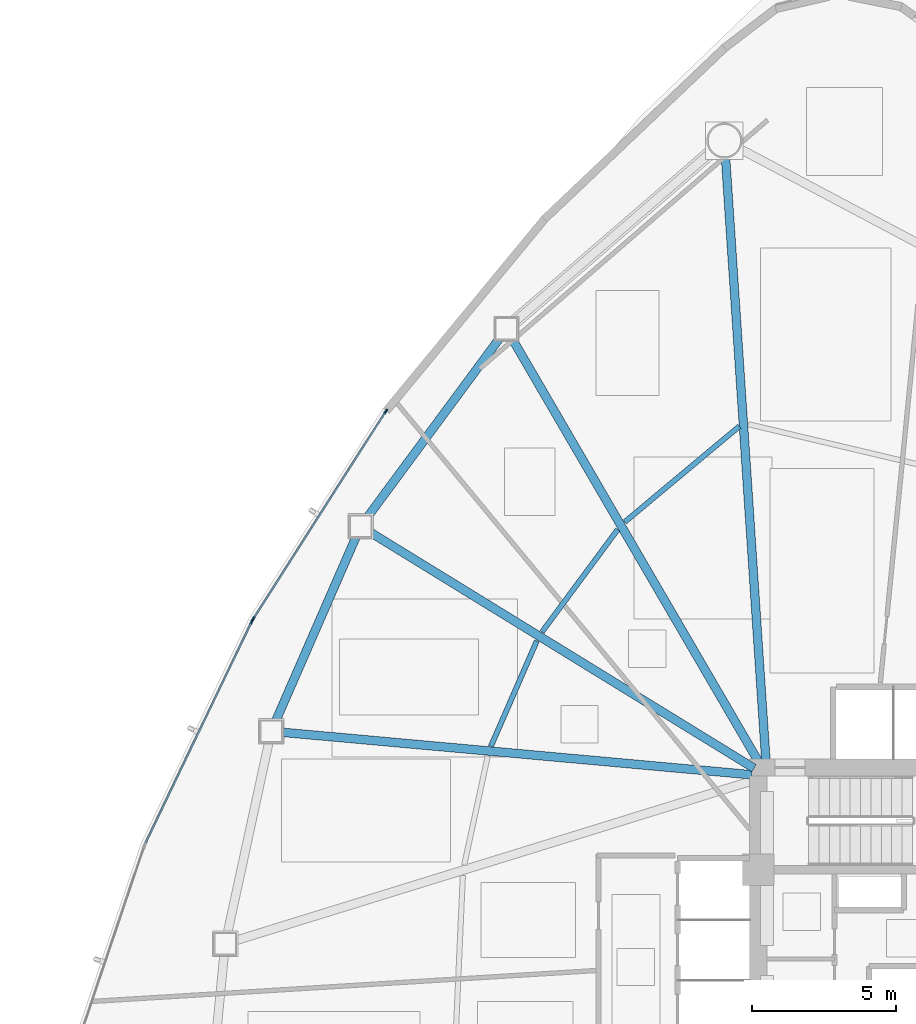
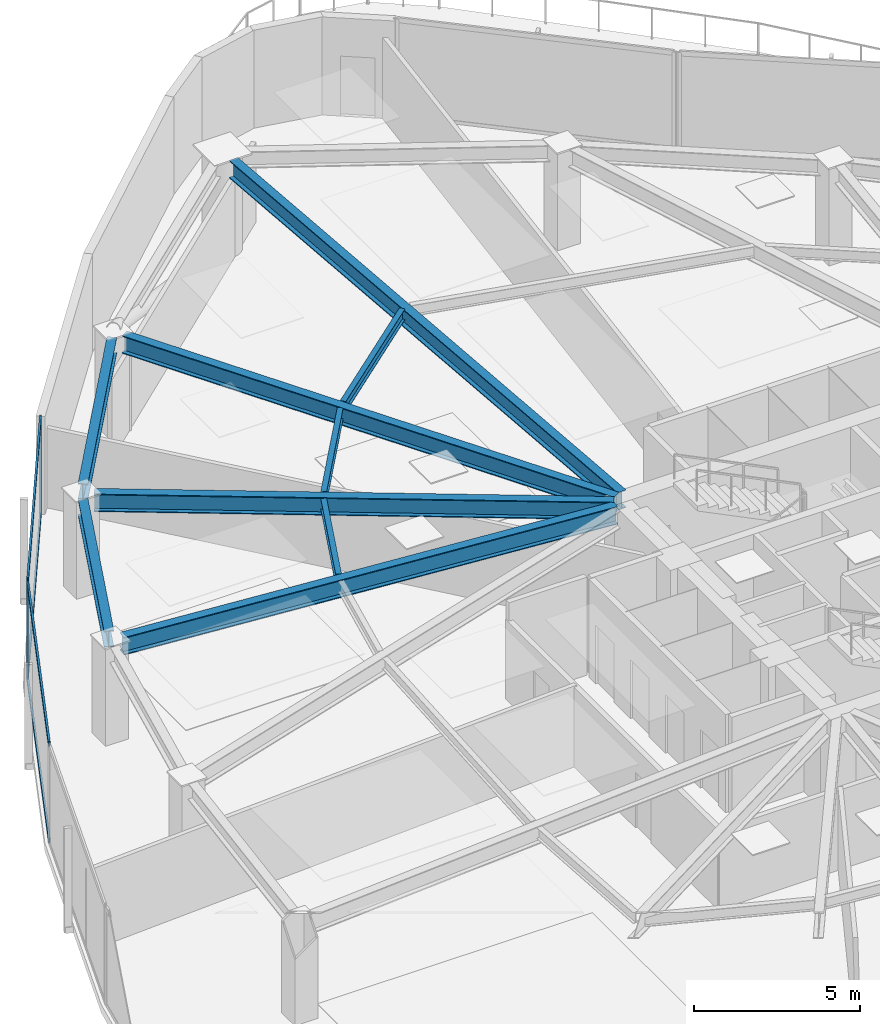
# One storey, part 7 of 19: 9 beams, 7 members, 2 elements without a shape of their own.
"""IFC4 building model written with IfcOpenShell, lengths in metres."""

import ifcopenshell
import ifcopenshell.guid

model = None  # the IFC model being written
_history = None  # IfcOwnerHistory: only IFC2X3 demands one
_inside = {}  # id of a spatial element -> (the spatial element, [elements in it])
_under = {}  # id of a project, library or spatial element -> (it, [spatial elements below it])
_declared = {}  # id of a project -> (the project, [libraries it declares])
_typed = {}  # id of a type object -> (the type object, [elements of that type])
_made_of = {}  # id of a material, layer set ... -> (it, [elements and type objects made of it])


def new_model(schema):
    """Start an empty IFC model of exactly this schema.

    Asked for "IFC4X3", IfcOpenShell would pick the latest addendum, in which some entities
    have other attributes; the version numbers below select the first issue.
    IFC2X3 requires an IfcOwnerHistory on every rooted entity: one is made here for all.
    """
    global model, _history
    if schema == "IFC4X3":
        model = ifcopenshell.file(schema_version=(4, 3, 0, 0))
    else:
        model = ifcopenshell.file(schema=schema)
    _inside.clear()
    _under.clear()
    _declared.clear()
    _typed.clear()
    _made_of.clear()
    _history = None
    if model.schema == "IFC2X3":
        org = make("IfcOrganization", Name="unknown")
        user = make(
            "IfcPersonAndOrganization",
            ThePerson=make("IfcPerson", FamilyName="unknown"),
            TheOrganization=org,
        )
        app = make(
            "IfcApplication",
            ApplicationDeveloper=org,
            Version="unknown",
            ApplicationFullName="unknown",
            ApplicationIdentifier="unknown",
        )
        _history = make(
            "IfcOwnerHistory",
            OwningUser=user,
            OwningApplication=app,
            ChangeAction="ADDED",
            CreationDate=0,
        )
    return model


def make(cls, **values):
    """One entity of the class cls with the attributes given. An attribute that is None is left unset."""
    return model.create_entity(
        cls, **{name: value for name, value in values.items() if value is not None}
    )


def rooted(cls, **values):
    """An entity with a GlobalId (a new one), such as an element, a storey or a relation."""
    return make(cls, GlobalId=ifcopenshell.guid.new(), OwnerHistory=_history, **values)


def si_unit(unit_type, name, prefix=None):
    """IfcSIUnit, for example si_unit("LENGTHUNIT", "METRE", prefix="MILLI")."""
    return make("IfcSIUnit", UnitType=unit_type, Prefix=prefix, Name=name)


def assignment(units):
    """IfcUnitAssignment: the units of a project."""
    return None if units is None else make("IfcUnitAssignment", Units=units)


def point(xyz):
    """IfcCartesianPoint."""
    return None if xyz is None else make("IfcCartesianPoint", Coordinates=xyz)


def direction(xyz):
    """IfcDirection."""
    return None if xyz is None else make("IfcDirection", DirectionRatios=xyz)


def frame(location, z_axis=None, x_axis=None):
    """IfcAxis2Placement3D, a coordinate frame: its origin and axes. An axis left out is left unset."""
    return make(
        "IfcAxis2Placement3D",
        Location=point(location),
        Axis=direction(z_axis),
        RefDirection=direction(x_axis),
    )


def frame_2d(location, x_axis=None):
    """IfcAxis2Placement2D, a coordinate frame in the plane: its origin and x axis."""
    return make(
        "IfcAxis2Placement2D", Location=point(location), RefDirection=direction(x_axis)
    )


def origin():
    """The frame at (0, 0, 0) with its axes left unset."""
    return frame((0.0, 0.0, 0.0))


def origin_2d():
    """The frame at (0, 0) in the plane with its x axis left unset."""
    return frame_2d((0.0, 0.0))


def place(relative_to, where):
    """IfcLocalPlacement: puts the frame where relative to a parent placement (None: the world)."""
    return make(
        "IfcLocalPlacement", PlacementRelTo=relative_to, RelativePlacement=where
    )


def context(
    kind, dimensions, precision=None, world=None, true_north=None, identifier=None
):
    """IfcGeometricRepresentationContext, for example the 3D "Model" context."""
    return make(
        "IfcGeometricRepresentationContext",
        ContextIdentifier=identifier,
        ContextType=kind,
        CoordinateSpaceDimension=dimensions,
        Precision=precision,
        WorldCoordinateSystem=world,
        TrueNorth=true_north,
    )


def subcontext(parent, identifier, kind, view, scale=None):
    """IfcGeometricRepresentationSubContext, for example "Body" below "Model"."""
    return make(
        "IfcGeometricRepresentationSubContext",
        ContextIdentifier=identifier,
        ContextType=kind,
        ParentContext=parent,
        TargetScale=scale,
        TargetView=view,
    )


def project(units=None, contexts=None):
    """IfcProject with its units and contexts."""
    return rooted(
        "IfcProject",
        Name="project",
        RepresentationContexts=contexts,
        UnitsInContext=assignment(units),
    )


def spatial(cls, under=None, at=None, **own):
    """A site, building, storey or space (cls), placed at a placement, below another one or the project."""
    s = rooted(cls, ObjectPlacement=at, **own)
    if under is not None:
        _under.setdefault(under.id(), (under, []))[1].append(s)
    return s


def profile(cls, at=None, kind="AREA", **sizes):
    """A parametric profile (cls). Its sizes go by their IFC names, for example OverallWidth=200.0."""
    return make(cls, ProfileType=kind, Position=at, **sizes)


def hollow_rectangle(**sizes):
    """IfcRectangleHollowProfileDef."""
    return profile("IfcRectangleHollowProfileDef", **sizes)


def i_section(**sizes):
    """IfcIShapeProfileDef."""
    return profile("IfcIShapeProfileDef", **sizes)


def extrude(swept, where, along, depth):
    """IfcExtrudedAreaSolid: the profile swept, set in the frame where, extruded along a direction by depth."""
    return make(
        "IfcExtrudedAreaSolid",
        SweptArea=swept,
        Position=where,
        ExtrudedDirection=direction(along),
        Depth=depth,
    )


def shape(context_of_items, identifier, shape_type, items):
    """IfcShapeRepresentation: the items that make up one representation, for example the "Body"."""
    return make(
        "IfcShapeRepresentation",
        ContextOfItems=context_of_items,
        RepresentationIdentifier=identifier,
        RepresentationType=shape_type,
        Items=items,
    )


def source(mapping_origin, context_of_items, identifier, shape_type, items):
    """IfcRepresentationMap: a shape defined once, which mapped items show again and again."""
    return make(
        "IfcRepresentationMap",
        MappingOrigin=mapping_origin,
        MappedRepresentation=shape(context_of_items, identifier, shape_type, items),
    )


def transform(
    local_origin,
    x_axis=None,
    y_axis=None,
    z_axis=None,
    scale=None,
    scale2=None,
    scale3=None,
    uniform=True,
):
    """IfcCartesianTransformationOperator3D, or its non-uniform kind. x_axis, y_axis, z_axis: its Axis1, 2, 3."""
    if uniform:
        return make(
            "IfcCartesianTransformationOperator3D",
            Axis1=direction(x_axis),
            Axis2=direction(y_axis),
            LocalOrigin=point(local_origin),
            Scale=scale,
            Axis3=direction(z_axis),
        )
    return make(
        "IfcCartesianTransformationOperator3DnonUniform",
        Axis1=direction(x_axis),
        Axis2=direction(y_axis),
        LocalOrigin=point(local_origin),
        Scale=scale,
        Axis3=direction(z_axis),
        Scale2=scale2,
        Scale3=scale3,
    )


def mapped(mapping_source, mapping_target):
    """IfcMappedItem: shows the shape of a source again, moved by a transform."""
    return make(
        "IfcMappedItem", MappingSource=mapping_source, MappingTarget=mapping_target
    )


def material(Name=None, Category=None):
    """IfcMaterial."""
    return make("IfcMaterial", Name=Name, Category=Category)


def layer(
    of_material, thickness, ventilated=None, Name=None, Category=None, Priority=None
):
    """IfcMaterialLayer: one layer of a wall or slab, of a material (None: an air gap)."""
    return make(
        "IfcMaterialLayer",
        Material=of_material,
        LayerThickness=thickness,
        IsVentilated=ventilated,
        Name=Name,
        Category=Category,
        Priority=Priority,
    )


def layer_set(layers, Name=None):
    """IfcMaterialLayerSet."""
    return make("IfcMaterialLayerSet", MaterialLayers=layers, LayerSetName=Name)


def material_profile(
    of_material, cross_section, Name=None, Category=None, Priority=None
):
    """IfcMaterialProfile: a cross section and its material."""
    return make(
        "IfcMaterialProfile",
        Name=Name,
        Material=of_material,
        Profile=cross_section,
        Priority=Priority,
        Category=Category,
    )


def profile_set(profiles, Name=None, composite=None):
    """IfcMaterialProfileSet."""
    return make(
        "IfcMaterialProfileSet",
        Name=Name,
        MaterialProfiles=profiles,
        CompositeProfile=composite,
    )


def made_of(thing, what):
    """Note that an element or type object is made of a material, layer set ...; save() writes the relation."""
    if what is not None:
        _made_of.setdefault(what.id(), (what, []))[1].append(thing)
    return thing


def type_object(cls, material=None, **own):
    """A type object (cls), such as IfcWallType, which elements share."""
    return made_of(rooted(cls, **own), material)


def type_shapes(of_type, sources):
    """Give a type object the sources (RepresentationMaps) that its elements show as mapped items."""
    of_type.RepresentationMaps = sources


def element(
    cls,
    number,
    at=None,
    inside=None,
    cuts=None,
    type_object=None,
    material=None,
    context=None,
    identifier="Body",
    shape_type=None,
    held_by="IfcProductDefinitionShape",
    body=None,
    shapes=None,
    **own,
):
    """One element of the class cls, such as IfcWall. Its Tag is "e" and its number.

    at: its placement. inside: the storey or other place that contains it. cuts: it is an
    opening in that element (IfcRelVoidsElement). A single representation is given by context,
    identifier, shape_type and body (its items); several are given by shapes. held_by: the class
    of the entity that holds the representations. save() writes the other relations.
    """
    e = rooted(cls, Tag="e%d" % number, ObjectPlacement=at, **own)
    if body is not None:
        shapes = [shape(context, identifier, shape_type, body)]
    if shapes is not None:
        e.Representation = make(held_by, Representations=shapes)
    if inside is not None:
        _inside.setdefault(inside.id(), (inside, []))[1].append(e)
    if cuts is not None:
        rooted(
            "IfcRelVoidsElement", RelatingBuildingElement=cuts, RelatedOpeningElement=e
        )
    if type_object is not None:
        _typed.setdefault(type_object.id(), (type_object, []))[1].append(e)
    return made_of(e, material)


def aggregate(whole, parts):
    """IfcRelAggregates: a whole, such as a stair, and the parts it consists of."""
    return rooted("IfcRelAggregates", RelatingObject=whole, RelatedObjects=parts)


def save(model, path):
    """Write the relations noted so far, then the file.

    IfcRelAggregates (storeys below a building ...), IfcRelContainedInSpatialStructure (elements
    in a storey), IfcRelDefinesByType, IfcRelAssociatesMaterial and IfcRelDeclares: one each for
    every whole, place, type object, material and project.
    """
    for whole, parts in _under.values():
        aggregate(whole, parts)
    for where, things in _inside.values():
        rooted(
            "IfcRelContainedInSpatialStructure",
            RelatedElements=things,
            RelatingStructure=where,
        )
    for kind, things in _typed.values():
        rooted("IfcRelDefinesByType", RelatedObjects=things, RelatingType=kind)
    for what, things in _made_of.values():
        rooted("IfcRelAssociatesMaterial", RelatedObjects=things, RelatingMaterial=what)
    for by, libraries in _declared.values():
        rooted("IfcRelDeclares", RelatingContext=by, RelatedDefinitions=libraries)
    model.write(path)


model = new_model("IFC4")

# Units and contexts
model_context = context("Model", 3, precision=1e-05, world=origin(), true_north=direction((0.0, 1.0)))
body_context = subcontext(model_context, "Body", "Model", "MODEL_VIEW")
ifc_project = project(units=[si_unit("LENGTHUNIT", "METRE"), si_unit("AREAUNIT", "SQUARE_METRE"), si_unit("VOLUMEUNIT", "CUBIC_METRE"), si_unit("PLANEANGLEUNIT", "RADIAN"), si_unit("MASSUNIT", "GRAM", prefix="KILO")], contexts=[model_context])

# Site, building, storey
site_placement = place(None, origin())
site = spatial("IfcSite", under=ifc_project, at=site_placement, CompositionType="ELEMENT")
building_placement = place(site_placement, origin())
building = spatial("IfcBuilding", under=site, at=building_placement, Name="Tavelor Broadcast Tower", CompositionType="ELEMENT")
storey_placement = place(building_placement, frame((0.0, 0.0, 27.60009765625)))
storey = spatial("IfcBuildingStorey", under=building, at=storey_placement, Name="L05", CompositionType="ELEMENT", Elevation=27.60009765625)

# Beams
ifc_material_1 = material(Name="Steel S355", Category="steel")
ifc_material_profile_1 = material_profile(ifc_material_1, i_section(OverallWidth=0.179931640625, OverallDepth=0.39990234375, WebThickness=0.008544921875, FlangeThickness=0.013427734375, at=origin_2d()), Name="IPE 400")
ifc_profile_set_1 = profile_set([ifc_material_profile_1], Name="Steel S355")
beam_type_1 = type_object("IfcBeamType", Name="Composite Floor Joist T1 IPE 400", PredefinedType="JOIST", material=ifc_profile_set_1)
beam_1_placement = place(storey_placement, frame((42.4404296875, 63.345947265625, 3.39990234375), z_axis=(-0.767560074089, -0.640977014146, 0.0), x_axis=(0.640977014146, -0.767560074089, 0.0)))
element("IfcBeam", 1, at=beam_1_placement, inside=storey, type_object=beam_type_1, Name="L05 Secondary Composite Floor Joist 01", PredefinedType="JOIST", context=body_context, shape_type="SweptSolid", body=[
    extrude(i_section(OverallWidth=0.179931640625, OverallDepth=0.39990234375, WebThickness=0.008544921875, FlangeThickness=0.013427734375, at=origin_2d()), origin(), (0.0, 0.0, 1.0), 5.178466796875),
])
beam_2_placement = place(storey_placement, frame((38.218994140625, 59.764892578125, 3.39990234375), z_axis=(-0.594310286319, -0.804235838281, 0.0), x_axis=(0.804235838281, -0.594310286319, 0.0)))
element("IfcBeam", 2, at=beam_2_placement, inside=storey, type_object=beam_type_1, Name="L05 Secondary Composite Floor Joist 02", PredefinedType="JOIST", context=body_context, shape_type="SweptSolid", body=[
    extrude(i_section(OverallWidth=0.179931640625, OverallDepth=0.39990234375, WebThickness=0.008544921875, FlangeThickness=0.013427734375, at=origin_2d()), origin(), (0.0, 0.0, 1.0), 4.41943359375),
])
beam_3_placement = place(storey_placement, frame((35.41259765625, 55.899169921875, 3.39990234375), z_axis=(-0.399676346619, -0.916656324886, 0.0), x_axis=(0.916656324886, -0.399676346619, 0.0)))
element("IfcBeam", 3, at=beam_3_placement, inside=storey, type_object=beam_type_1, Name="L05 Secondary Composite Floor Joist 03", PredefinedType="JOIST", context=body_context, shape_type="SweptSolid", body=[
    extrude(i_section(OverallWidth=0.179931640625, OverallDepth=0.39990234375, WebThickness=0.008544921875, FlangeThickness=0.013427734375, at=origin_2d()), origin(), (0.0, 0.0, 1.0), 3.991943359375),
])
ifc_material_profile_2 = material_profile(ifc_material_1, i_section(OverallWidth=0.300048828125, OverallDepth=0.60009765625, WebThickness=0.015380859375, FlangeThickness=0.030029296875, at=origin_2d()), Name="HEB 600")
ifc_profile_set_2 = profile_set([ifc_material_profile_2], Name="Steel S355")
beam_type_2 = type_object("IfcBeamType", Name="Perimeter Spandrel Beam T1 HEB 600", PredefinedType="SPANDREL", material=ifc_profile_set_2)
beam_4_placement = place(storey_placement, frame((34.1279296875, 66.4189453125, 3.2998046875), z_axis=(-0.59410601814, -0.804386747286, 0.0), x_axis=(0.804386747286, -0.59410601814, 0.0)))
element("IfcBeam", 4, at=beam_4_placement, inside=storey, type_object=beam_type_2, Name="L05 Framed-Tube Ring Spandrel 02", PredefinedType="SPANDREL", context=body_context, shape_type="SweptSolid", body=[
    extrude(i_section(OverallWidth=0.300048828125, OverallDepth=0.60009765625, WebThickness=0.015380859375, FlangeThickness=0.030029296875, at=origin_2d()), origin(), (0.0, 0.0, 1.0), 7.755615234375),
])
beam_5_placement = place(storey_placement, frame((29.138671875, 59.51953125, 3.2998046875), z_axis=(-0.399831402863, -0.916588702355, 0.0), x_axis=(0.916588702355, -0.399831402863, 0.0)))
element("IfcBeam", 5, at=beam_5_placement, inside=storey, type_object=beam_type_2, Name="L05 Framed-Tube Ring Spandrel 03", PredefinedType="SPANDREL", context=body_context, shape_type="SweptSolid", body=[
    extrude(i_section(OverallWidth=0.300048828125, OverallDepth=0.60009765625, WebThickness=0.015380859375, FlangeThickness=0.030029296875, at=origin_2d()), origin(), (0.0, 0.0, 1.0), 6.99267578125),
])
ifc_material_profile_3 = material_profile(ifc_material_1, i_section(OverallWidth=0.300048828125, OverallDepth=0.64990234375, WebThickness=0.01611328125, FlangeThickness=0.031005859375, at=origin_2d()), Name="HEB 650")
ifc_profile_set_3 = profile_set([ifc_material_profile_3], Name="Steel S355")
beam_type_3 = type_object("IfcBeamType", Name="Radial Floor Girder T1 HEB 650", PredefinedType="BEAM", material=ifc_profile_set_3)
beam_6_placement = place(storey_placement, frame((43.36474609375, 51.726806640625, 3.27490234375), z_axis=(-0.066781325407, 0.997767635563, 0.0), x_axis=(-0.997767635563, -0.066781325407, 0.0)))
element("IfcBeam", 6, at=beam_6_placement, inside=storey, type_object=beam_type_3, Name="L05 Radial Primary Floor Girder 01", PredefinedType="BEAM", context=body_context, shape_type="SweptSolid", body=[
    extrude(i_section(OverallWidth=0.300048828125, OverallDepth=0.64990234375, WebThickness=0.01611328125, FlangeThickness=0.031005859375, at=origin_2d()), origin(), (0.0, 0.0, 1.0), 21.002685546875),
])
beam_7_placement = place(storey_placement, frame((43.13427734375, 51.65625, 3.27490234375), z_axis=(-0.503292471027, 0.864116131436, 0.0), x_axis=(-0.864116131436, -0.503292471027, 0.0)))
element("IfcBeam", 7, at=beam_7_placement, inside=storey, type_object=beam_type_3, Name="L05 Radial Primary Floor Girder 02", PredefinedType="BEAM", context=body_context, shape_type="SweptSolid", body=[
    extrude(i_section(OverallWidth=0.300048828125, OverallDepth=0.64990234375, WebThickness=0.01611328125, FlangeThickness=0.031005859375, at=origin_2d()), origin(), (0.0, 0.0, 1.0), 17.0576171875),
])
beam_8_placement = place(storey_placement, frame((42.9501953125, 51.4765625, 3.27490234375), z_axis=(-0.851935691671, 0.523646423894, 0.0), x_axis=(-0.523646423894, -0.851935691671, 0.0)))
element("IfcBeam", 8, at=beam_8_placement, inside=storey, type_object=beam_type_3, Name="L05 Radial Primary Floor Girder 03", PredefinedType="BEAM", context=body_context, shape_type="SweptSolid", body=[
    extrude(i_section(OverallWidth=0.300048828125, OverallDepth=0.64990234375, WebThickness=0.01611328125, FlangeThickness=0.031005859375, at=origin_2d()), origin(), (0.0, 0.0, 1.0), 15.647705078125),
])
beam_9_placement = place(storey_placement, frame((42.874267578125, 51.24755859375, 3.27490234375), z_axis=(-0.995926026359, 0.090173998583, 0.0), x_axis=(-0.090173998583, -0.995926026359, 0.0)))
element("IfcBeam", 9, at=beam_9_placement, inside=storey, type_object=beam_type_3, Name="L05 Radial Primary Floor Girder 04", PredefinedType="BEAM", context=body_context, shape_type="SweptSolid", body=[
    extrude(i_section(OverallWidth=0.300048828125, OverallDepth=0.64990234375, WebThickness=0.01611328125, FlangeThickness=0.031005859375, at=origin_2d()), origin(), (0.0, 0.0, 1.0), 16.369140625),
])

# Curtain wall, members
ifc_material_2 = material(Name="Architectural Anodized Aluminium", Category="aluminium")
ifc_layer = layer(ifc_material_2, 0.179931640625)
ifc_layer_set = layer_set([ifc_layer], Name="Architectural Anodized Aluminium")
curtain_wall_type = type_object("IfcCurtainWallType", Name="Tower Low-Zone Unitised Curtain Wall CW02", PredefinedType="NOTDEFINED", material=ifc_layer_set)
curtain_wall_1_placement = place(storey_placement, origin())
curtain_wall_1 = element("IfcCurtainWall", 10, at=curtain_wall_1_placement, inside=storey, type_object=curtain_wall_type, Name="L05 Curtain Wall CW02 Run 13", PredefinedType="NOTDEFINED")
ifc_material_profile_4 = material_profile(ifc_material_2, hollow_rectangle(XDim=0.06494140625, YDim=0.179931640625, WallThickness=0.02197265625, at=origin_2d()), Name="RHS 65x180x22")
ifc_profile_set_4 = profile_set([ifc_material_profile_4], Name="Architectural Anodized Aluminium")
member_type_1 = type_object("IfcMemberType", Name="CW02 Extruded Aluminium Mullion 65x180", PredefinedType="MULLION", material=ifc_profile_set_4)
shared_shape_1 = source(origin(), body_context, "Body", "SweptSolid", [
    extrude(hollow_rectangle(XDim=0.06494140625, YDim=0.179931640625, WallThickness=0.02197265625, at=origin_2d()), origin(), (0.0, 0.0, 1.0), 3.599853515625),
])
type_shapes(member_type_1, [shared_shape_1])
member_1_placement = place(storey_placement, frame((30.16845703125, 63.86181640625, 0.0), z_axis=(0.0, 0.0, 1.0), x_axis=(0.842683247764, -0.538409643243, 0.0)))
member_1 = element("IfcMember", 11, at=member_1_placement, type_object=member_type_1, Name="CW02 mullion 1", PredefinedType="MULLION", context=body_context, shape_type="MappedRepresentation", body=[
    mapped(shared_shape_1, transform((0.0, 0.0, 0.0), scale=1.0)),
])
member_2_placement = place(storey_placement, frame((25.562255859375, 56.65234375, 0.0), z_axis=(0.0, 0.0, 1.0), x_axis=(0.842683247764, -0.538409643243, 0.0)))
member_2 = element("IfcMember", 12, at=member_2_placement, type_object=member_type_1, Name="CW02 mullion 2", PredefinedType="MULLION", context=body_context, shape_type="MappedRepresentation", body=[
    mapped(shared_shape_1, transform((0.0, 0.0, 0.0), scale=1.0)),
])

# Curtain wall, member
curtain_wall_2_placement = place(storey_placement, origin())
curtain_wall_2 = element("IfcCurtainWall", 13, at=curtain_wall_2_placement, inside=storey, type_object=curtain_wall_type, Name="L05 Curtain Wall CW02 Run 14", PredefinedType="NOTDEFINED")
member_3_placement = place(storey_placement, frame((25.51611328125, 56.569580078125, 0.0), z_axis=(0.0, 0.0, 1.0), x_axis=(0.901646514165, -0.43247377203, 0.0)))
member_3 = element("IfcMember", 14, at=member_3_placement, type_object=member_type_1, Name="CW02 mullion 1", PredefinedType="MULLION", context=body_context, shape_type="MappedRepresentation", body=[
    mapped(shared_shape_1, transform((0.0, 0.0, 0.0), scale=1.0)),
])

# Member
ifc_material_profile_5 = material_profile(ifc_material_2, hollow_rectangle(XDim=0.06494140625, YDim=0.179931640625, WallThickness=0.02197265625, at=origin_2d()), Name="RHS 65x180x22")
ifc_profile_set_5 = profile_set([ifc_material_profile_5], Name="Architectural Anodized Aluminium")
member_type_2 = type_object("IfcMemberType", Name="CW02 Extruded Aluminium Transom 65x180", PredefinedType="USERDEFINED", material=ifc_profile_set_5)
shared_shape_2 = source(origin(), body_context, "Body", "SweptSolid", [
    extrude(hollow_rectangle(XDim=0.06494140625, YDim=0.179931640625, WallThickness=0.02197265625, at=origin_2d()), origin(), (0.0, 0.0, 1.0), 8.490234375),
])
member_4_placement = place(storey_placement, frame((30.15087890625, 63.834228515625, 0.032470703125), z_axis=(-0.53841707112, -0.842678501878, 0.0), x_axis=(0.842678501878, -0.53841707112, 0.0)))
member_4 = element("IfcMember", 15, at=member_4_placement, type_object=member_type_2, Name="CW02 transom 1.1", ObjectType="TRANSOM", PredefinedType="USERDEFINED", context=body_context, shape_type="MappedRepresentation", body=[
    mapped(shared_shape_2, transform((0.0, 0.0, 0.0), scale=1.0)),
])

member_5_placement = place(storey_placement, frame((30.15087890625, 63.834228515625, 3.5673828125), z_axis=(-0.53841707112, -0.842678501878, 0.0), x_axis=(0.842678501878, -0.53841707112, 0.0)))
member_5 = element("IfcMember", 16, at=member_5_placement, type_object=member_type_2, Name="CW02 transom 1.2", ObjectType="TRANSOM", PredefinedType="USERDEFINED", context=body_context, shape_type="MappedRepresentation", body=[
    mapped(shared_shape_2, transform((0.0, 0.0, 0.0), scale=1.0)),
])

aggregate(curtain_wall_1, [member_1, member_2, member_4, member_5])

shared_shape_3 = source(origin(), body_context, "Body", "SweptSolid", [
    extrude(hollow_rectangle(XDim=0.06494140625, YDim=0.179931640625, WallThickness=0.02197265625, at=origin_2d()), origin(), (0.0, 0.0, 1.0), 8.47509765625),
])
type_shapes(member_type_2, [shared_shape_2, shared_shape_3])
member_6_placement = place(storey_placement, frame((25.502197265625, 56.540283203125, 0.032470703125), z_axis=(-0.432473513663, -0.901646638091, 0.0), x_axis=(0.901646638091, -0.432473513663, 0.0)))
member_6 = element("IfcMember", 17, at=member_6_placement, type_object=member_type_2, Name="CW02 transom 1.1", ObjectType="TRANSOM", PredefinedType="USERDEFINED", context=body_context, shape_type="MappedRepresentation", body=[
    mapped(shared_shape_3, transform((0.0, 0.0, 0.0), scale=1.0)),
])

member_7_placement = place(storey_placement, frame((25.502197265625, 56.540283203125, 3.5673828125), z_axis=(-0.432473513663, -0.901646638091, 0.0), x_axis=(0.901646638091, -0.432473513663, 0.0)))
member_7 = element("IfcMember", 18, at=member_7_placement, type_object=member_type_2, Name="CW02 transom 1.2", ObjectType="TRANSOM", PredefinedType="USERDEFINED", context=body_context, shape_type="MappedRepresentation", body=[
    mapped(shared_shape_3, transform((0.0, 0.0, 0.0), scale=1.0)),
])

aggregate(curtain_wall_2, [member_3, member_6, member_7])

save(model, "model.ifc")
